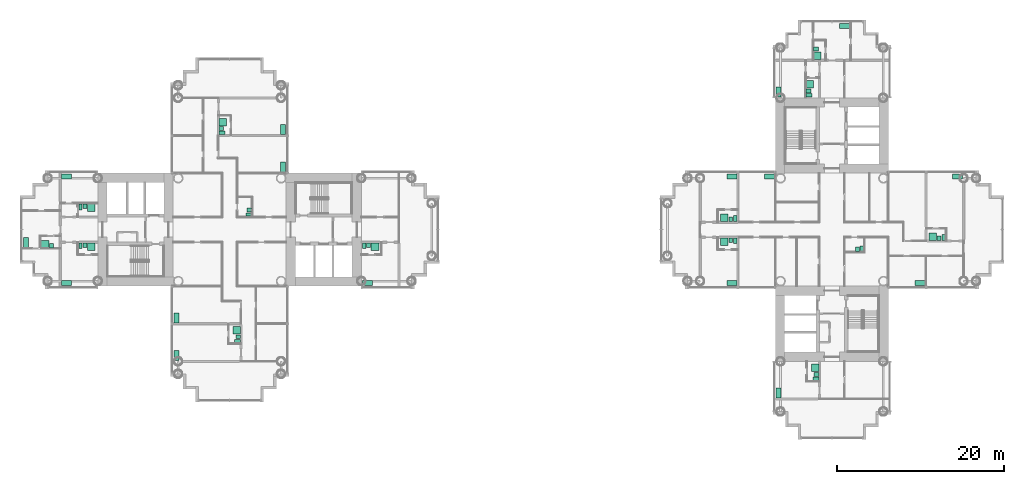
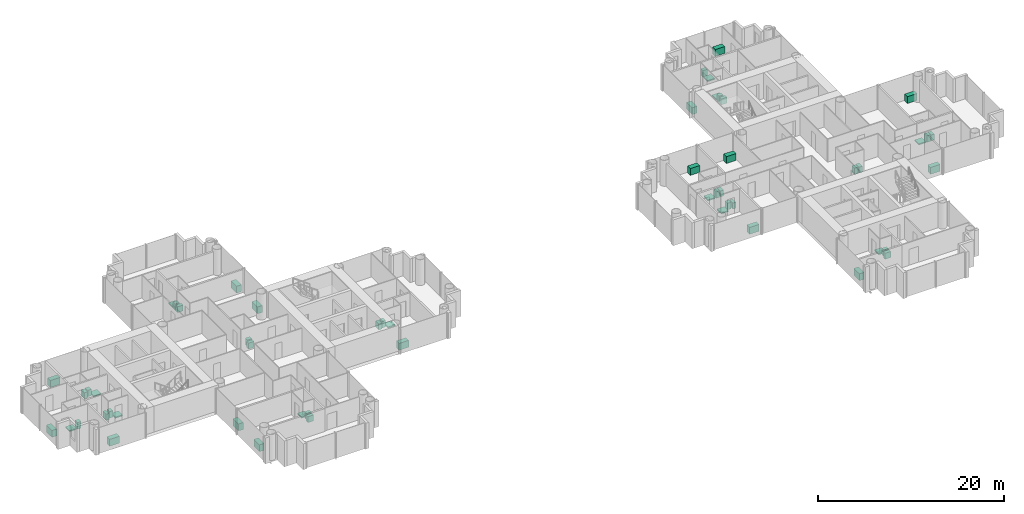
# One storey, part 21 of 21: 54 sanitary terminals.
"""IFC4 building model written with IfcOpenShell, lengths in metres."""

from ifc_helpers import new_model, si_unit, direction, frame, origin, origin_2d, place, context, subcontext, project, spatial, rectangle, extrude, material, type_object, element, save


model = new_model("IFC4")

# Units and contexts
model_context = context("Model", 3, precision=1e-05, world=origin(), true_north=direction((0.0, 1.0)))
body_context = subcontext(model_context, "Body", "Model", "MODEL_VIEW")
ifc_project = project(units=[si_unit("LENGTHUNIT", "METRE"), si_unit("AREAUNIT", "SQUARE_METRE"), si_unit("VOLUMEUNIT", "CUBIC_METRE"), si_unit("PLANEANGLEUNIT", "RADIAN"), si_unit("MASSUNIT", "GRAM", prefix="KILO")], contexts=[model_context])

# Site, building, storey
site_placement = place(None, origin())
site = spatial("IfcSite", under=ifc_project, at=site_placement, CompositionType="ELEMENT")
building_placement = place(site_placement, origin())
building = spatial("IfcBuilding", under=site, at=building_placement, Name="Ipe Terrace Towers", CompositionType="ELEMENT")
storey_placement = place(building_placement, frame((0.0, 0.0, 34.699951171875)))
storey = spatial("IfcBuildingStorey", under=building, at=storey_placement, Name="L08", CompositionType="ELEMENT", Elevation=34.699951171875)

# Sanitary terminals
ifc_material_1 = material(Name="Stainless sink unit", Category="metal")
sanitary_terminal_type_1 = type_object("IfcSanitaryTerminalType", Name="Kitchen sink unit", PredefinedType="SINK", material=ifc_material_1)
for number, where, z_axis, x_axis, name in (
    (1, (-29.6201171875, 7.469970703125, 0.0), (0.0, 0.0, 1.0), (0.0, -1.0, 0.0), "Kitchen sink unit"),
    (2, (-29.6201171875, 11.969970703125, 0.0), (0.0, 0.0, 1.0), (0.0, -1.0, 0.0), "Kitchen sink unit"),
    (3, (-42.3798828125, -10.530029296875, 0.0), (0.0, 0.0, 1.0), (0.0, 1.0, 0.0), "Kitchen sink unit"),
    (4, (-42.3798828125, -15.030029296875, 0.0), (0.0, 0.0, 1.0), (0.0, 1.0, 0.0), "Kitchen sink unit"),
    (5, (-19.530029296875, -6.3798828125, 0.0), (0.0, 0.0, 1.0), (-1.0, 0.0, 0.0), "Kitchen sink unit"),
    (6, (-55.530029296875, -6.3798828125, 0.0), (0.0, 0.0, 1.0), (-1.0, 0.0, 0.0), "Kitchen sink unit"),
    (7, (-55.530029296875, 6.3798828125, 0.0), (0.0, 0.0, 1.0), (1.0, 0.0, 0.0), "Kitchen sink unit"),
    (8, (-60.3798828125, -1.530029296875, 0.0), (0.0, 0.0, 1.0), (0.0, 1.0, 0.0), "Kitchen sink unit"),
    (9, (24.030029296875, -6.3798828125, 0.0), (0.0, 0.0, 1.0), (-1.0, 0.0, 0.0), "Kitchen sink unit"),
    (10, (28.530029296875, 6.3798828125, 0.0), (0.0, 0.0, 1.0), (1.0, 0.0, 0.0), "Kitchen sink unit"),
    (11, (24.030029296875, 6.3798828125, 0.0), (0.0, 0.0, 1.0), (1.0, 0.0, 0.0), "Kitchen sink unit"),
    (12, (51.030029296875, 6.3798828125, 0.0), (0.0, 0.0, 1.0), (1.0, 0.0, 0.0), "Kitchen sink unit"),
    (13, (46.530029296875, -6.3798828125, 0.0), (0.0, 0.0, 1.0), (-1.0, 0.0, 0.0), "Kitchen sink unit"),
    (14, (29.6201171875, 16.469970703125, 0.0), (0.0, 0.0, 1.0), (0.0, 1.0, 0.0), "Kitchen sink unit"),
    (15, (37.530029296875, 24.3798828125, 0.0), (0.0, 0.0, 1.0), (1.0, 0.0, 0.0), "Kitchen sink unit"),
    (16, (29.6201171875, -19.530029296875, 0.0), (0.0, 0.0, 1.0), (0.0, 1.0, 0.0), "Kitchen sink unit"),
):
    element("IfcSanitaryTerminal", number, at=place(storey_placement, frame(where, z_axis=z_axis, x_axis=x_axis)), inside=storey, type_object=sanitary_terminal_type_1, Name=name, PredefinedType="SINK", context=body_context, shape_type="SweptSolid", body=[
        extrude(rectangle(XDim=1.199951171875, YDim=0.60009765625, at=origin_2d()), origin(), (0.0, 0.0, 1.0), 0.89990234375),
    ])
ifc_material_2 = material(Name="Acrylic", Category="plastic")
sanitary_terminal_type_2 = type_object("IfcSanitaryTerminalType", Name="Shower tray", PredefinedType="SHOWER", material=ifc_material_2)
for number, where, z_axis, x_axis, name in (
    (17, (-36.830078125, 12.8701171875, 0.0), (0.0, 0.0, 1.0), (1.0, 0.0, 0.0), "Shower tray"),
    (18, (-35.169921875, -12.030029296875, 0.0), (0.0, 0.0, 1.0), (-1.0, 0.0, 0.0), "Shower tray"),
    (19, (-18.6298828125, -2.02001953125, 0.0), (0.0, 0.0, 1.0), (0.0, -1.0, 0.0), "Shower tray"),
    (20, (-52.530029296875, -2.02001953125, 0.0), (0.0, 0.0, 1.0), (0.0, -1.0, 0.0), "Shower tray"),
    (21, (-52.530029296875, 2.6298828125, 0.0), (0.0, 0.0, 1.0), (0.0, -1.0, 0.0), "Shower tray"),
    (22, (-58.080078125, -1.72998046875, 0.0), (0.0, 0.0, 1.0), (0.0, 1.0, 0.0), "Shower tray"),
    (23, (23.1298828125, -1.419921875, 0.0), (0.0, 0.0, 1.0), (0.0, -1.0, 0.0), "Shower tray"),
    (24, (23.1298828125, 1.419921875, 0.0), (0.0, 0.0, 1.0), (0.0, 1.0, 0.0), "Shower tray"),
    (25, (48.030029296875, -0.830078125, 0.0), (0.0, 0.0, 1.0), (0.0, 1.0, 0.0), "Shower tray"),
    (26, (33.3701171875, 17.3701171875, 0.0), (0.0, 0.0, 1.0), (1.0, 0.0, 0.0), "Shower tray"),
    (27, (34.27001953125, 20.820068359375, 0.0), (0.0, 0.0, 1.0), (1.0, 0.0, 0.0), "Shower tray"),
    (28, (33.97998046875, -16.530029296875, 0.0), (0.0, 0.0, 1.0), (-1.0, 0.0, 0.0), "Shower tray"),
):
    element("IfcSanitaryTerminal", number, at=place(storey_placement, frame(where, z_axis=z_axis, x_axis=x_axis)), inside=storey, type_object=sanitary_terminal_type_2, Name=name, PredefinedType="SHOWER", context=body_context, shape_type="SweptSolid", body=[
        extrude(rectangle(XDim=0.89990234375, YDim=0.89990234375, at=origin_2d()), origin(), (0.0, 0.0, 1.0), 0.14990234375),
    ])
ifc_material_3 = material(Name="Vitreous china", Category="ceramic")
sanitary_terminal_type_3 = type_object("IfcSanitaryTerminalType", Name="Wash basin", PredefinedType="WASHHANDBASIN", material=ifc_material_3)
for number, where, z_axis, x_axis, name in (
    (29, (-33.64501953125, 2.344970703125, 0.0), (0.0, 0.0, 1.0), (-1.0, 0.0, 0.0), "Wash basin"),
    (30, (-37.0048828125, 12.094970703125, 0.0), (0.0, 0.0, 1.0), (1.0, 0.0, 0.0), "Wash basin"),
    (31, (-34.9951171875, -12.804931640625, 0.0), (0.0, 0.0, 1.0), (-1.0, 0.0, 0.0), "Wash basin"),
    (32, (-19.405029296875, -1.844970703125, 0.0), (0.0, 0.0, 1.0), (0.0, -1.0, 0.0), "Wash basin"),
    (33, (-53.304931640625, -1.844970703125, 0.0), (0.0, 0.0, 1.0), (0.0, -1.0, 0.0), "Wash basin"),
    (34, (-53.304931640625, 2.804931640625, 0.0), (0.0, 0.0, 1.0), (0.0, -1.0, 0.0), "Wash basin"),
    (35, (-57.304931640625, -1.905029296875, 0.0), (0.0, 0.0, 1.0), (0.0, 1.0, 0.0), "Wash basin"),
    (36, (39.054931640625, -2.35498046875, 0.0), (0.0, 0.0, 1.0), (0.0, 1.0, 0.0), "Wash basin"),
    (37, (23.905029296875, -1.2451171875, 0.0), (0.0, 0.0, 1.0), (0.0, -1.0, 0.0), "Wash basin"),
    (38, (23.905029296875, 1.2451171875, 0.0), (0.0, 0.0, 1.0), (0.0, 1.0, 0.0), "Wash basin"),
    (39, (48.804931640625, -1.0048828125, 0.0), (0.0, 0.0, 1.0), (0.0, 1.0, 0.0), "Wash basin"),
    (40, (33.195068359375, 16.594970703125, 0.0), (0.0, 0.0, 1.0), (1.0, 0.0, 0.0), "Wash basin"),
    (41, (34.094970703125, 21.594970703125, 0.0), (0.0, 0.0, 1.0), (1.0, 0.0, 0.0), "Wash basin"),
    (42, (34.155029296875, -17.304931640625, 0.0), (0.0, 0.0, 1.0), (-1.0, 0.0, 0.0), "Wash basin"),
):
    element("IfcSanitaryTerminal", number, at=place(storey_placement, frame(where, z_axis=z_axis, x_axis=x_axis)), inside=storey, type_object=sanitary_terminal_type_3, Name=name, PredefinedType="WASHHANDBASIN", context=body_context, shape_type="SweptSolid", body=[
        extrude(rectangle(XDim=0.550048828125, YDim=0.449951171875, at=origin_2d()), origin(), (0.0, 0.0, 1.0), 0.85009765625),
    ])
ifc_material_4 = material(Name="Vitreous china", Category="ceramic")
sanitary_terminal_type_4 = type_object("IfcSanitaryTerminalType", Name="Water closet", PredefinedType="TOILETPAN", material=ifc_material_4)
for number, where, z_axis, x_axis, name in (
    (43, (-33.719970703125, 1.820068359375, 0.0), (0.0, 0.0, 1.0), (-1.0, 0.0, 0.0), "Water closet"),
    (44, (-36.929931640625, 11.570068359375, 0.0), (0.0, 0.0, 1.0), (1.0, 0.0, 0.0), "Water closet"),
    (45, (-35.070068359375, -13.330078125, 0.0), (0.0, 0.0, 1.0), (-1.0, 0.0, 0.0), "Water closet"),
    (46, (-19.929931640625, -1.919921875, 0.0), (0.0, 0.0, 1.0), (0.0, -1.0, 0.0), "Water closet"),
    (47, (-53.830078125, -1.919921875, 0.0), (0.0, 0.0, 1.0), (0.0, -1.0, 0.0), "Water closet"),
    (48, (-53.830078125, 2.72998046875, 0.0), (0.0, 0.0, 1.0), (0.0, -1.0, 0.0), "Water closet"),
    (49, (39.580078125, -2.280029296875, 0.0), (0.0, 0.0, 1.0), (0.0, 1.0, 0.0), "Water closet"),
    (50, (24.429931640625, -1.320068359375, 0.0), (0.0, 0.0, 1.0), (0.0, -1.0, 0.0), "Water closet"),
    (51, (24.429931640625, 1.320068359375, 0.0), (0.0, 0.0, 1.0), (0.0, 1.0, 0.0), "Water closet"),
    (52, (49.330078125, -0.929931640625, 0.0), (0.0, 0.0, 1.0), (0.0, 1.0, 0.0), "Water closet"),
    (53, (33.27001953125, 16.070068359375, 0.0), (0.0, 0.0, 1.0), (1.0, 0.0, 0.0), "Water closet"),
    (54, (34.080078125, -17.830078125, 0.0), (0.0, 0.0, 1.0), (-1.0, 0.0, 0.0), "Water closet"),
):
    element("IfcSanitaryTerminal", number, at=place(storey_placement, frame(where, z_axis=z_axis, x_axis=x_axis)), inside=storey, type_object=sanitary_terminal_type_4, Name=name, PredefinedType="TOILETPAN", context=body_context, shape_type="SweptSolid", body=[
        extrude(rectangle(XDim=0.699951171875, YDim=0.39990234375, at=origin_2d()), origin(), (0.0, 0.0, 1.0), 0.780029296875),
    ])

save(model, "model.ifc")
